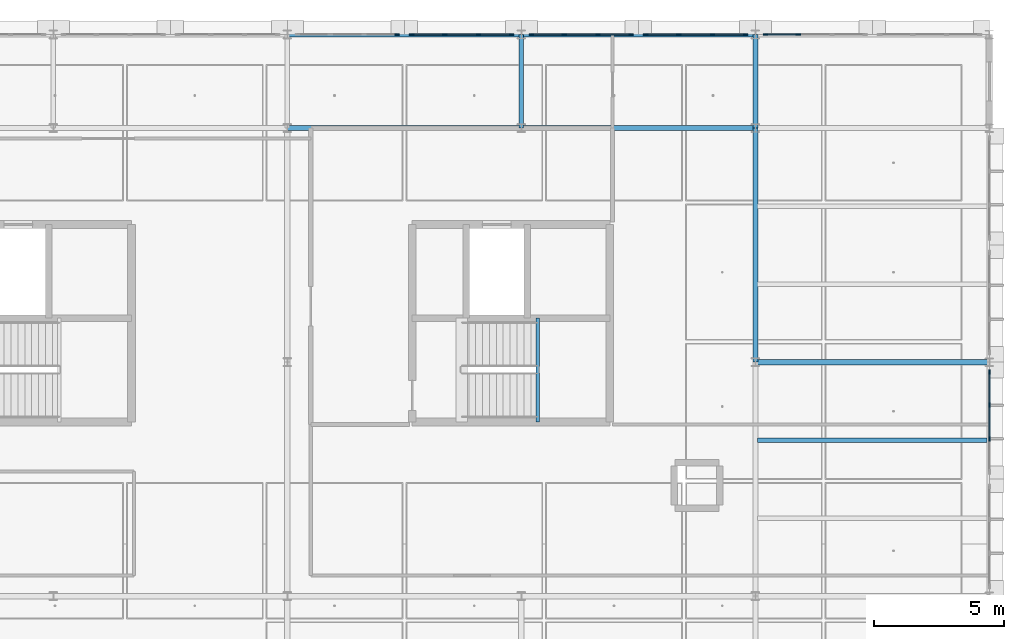
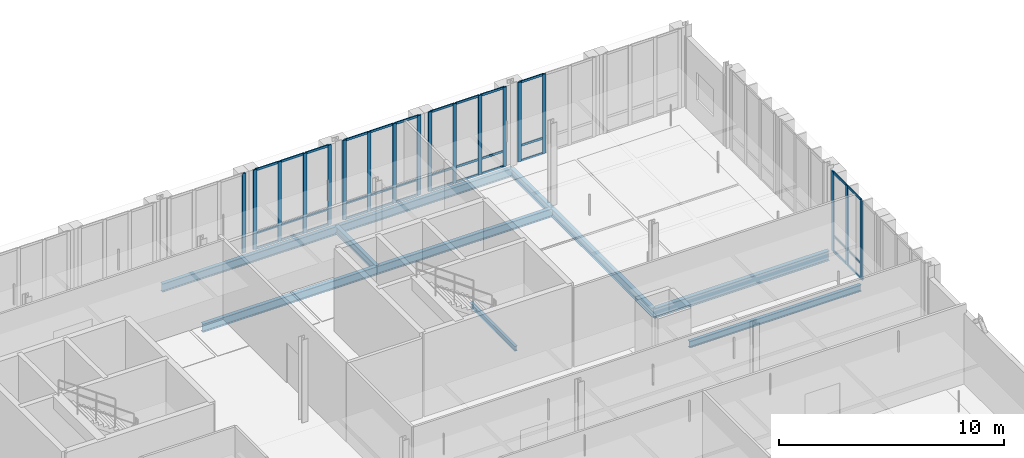
# One storey, part 33 of 89: 54 members, 10 beams, 6 elements without a shape of their own.
"""IFC4 building model written with IfcOpenShell, lengths in metres."""

from ifc_helpers import new_model, si_unit, direction, frame, origin, origin_2d, place, context, subcontext, project, spatial, rectangle, i_section, extrude, material, material_profile, profile_set, type_object, element, aggregate, save


model = new_model("IFC4")

# Units and contexts
model_context = context("Model", 3, precision=1e-05, world=origin(), true_north=direction((0.0, 1.0)))
body_context = subcontext(model_context, "Body", "Model", "MODEL_VIEW")
ifc_project = project(units=[si_unit("LENGTHUNIT", "METRE"), si_unit("AREAUNIT", "SQUARE_METRE"), si_unit("VOLUMEUNIT", "CUBIC_METRE"), si_unit("PLANEANGLEUNIT", "RADIAN"), si_unit("MASSUNIT", "GRAM", prefix="KILO"), si_unit("THERMODYNAMICTEMPERATUREUNIT", "KELVIN"), si_unit("POWERUNIT", "WATT")], contexts=[model_context])

# Site, building, storey
site_placement = place(None, origin())
site = spatial("IfcSite", under=ifc_project, at=site_placement, CompositionType="ELEMENT")
building_placement = place(site_placement, origin())
building = spatial("IfcBuilding", under=site, at=building_placement, Name="Tallowbark Science Centre", CompositionType="ELEMENT")
storey_placement = place(building_placement, frame((0.0, 0.0, 14.39990234375)))
storey = spatial("IfcBuildingStorey", under=building, at=storey_placement, Name="L03", CompositionType="ELEMENT", Elevation=14.39990234375)

# Beams
ifc_material_1 = material(Name="Structural Steel Grade 300PLUS (300 MPa)", Category="steel")
ifc_material_profile_1 = material_profile(ifc_material_1, i_section(OverallWidth=0.177734375, OverallDepth=0.406494140625, WebThickness=0.0078125, FlangeThickness=0.0126953125, FilletRadius=0.011474609375, at=origin_2d()), Name="410UB59.7")
ifc_profile_set_1 = profile_set([ifc_material_profile_1], Name="Structural Steel Grade 300PLUS (300 MPa)")
beam_type_1 = type_object("IfcBeamType", Name="BM-UB410", PredefinedType="BEAM", material=ifc_profile_set_1)
beam_1_placement = place(storey_placement, frame((139.5, 108.0, -0.383056640625), z_axis=(0.0, 1.0, 0.0), x_axis=(-1.0, 0.0, 0.0)))
element("IfcBeam", 1, at=beam_1_placement, inside=storey, type_object=beam_type_1, Name="Primary Girder GRDY-L03-1395-1080-1116", PredefinedType="BEAM", context=body_context, shape_type="SweptSolid", body=[
    extrude(i_section(OverallWidth=0.177734375, OverallDepth=0.406494140625, WebThickness=0.0078125, FlangeThickness=0.0126953125, FilletRadius=0.011474609375, at=origin_2d()), origin(), (0.0, 0.0, 1.0), 3.60009765625),
])
ifc_material_profile_2 = material_profile(ifc_material_1, i_section(OverallWidth=0.208984375, OverallDepth=0.532958984375, WebThickness=0.01025390625, FlangeThickness=0.015625, FilletRadius=0.013916015625, at=origin_2d()), Name="530UB92.4")
ifc_profile_set_2 = profile_set([ifc_material_profile_2], Name="Structural Steel Grade 300PLUS (300 MPa)")
beam_type_2 = type_object("IfcBeamType", Name="BM-UB530A", PredefinedType="BEAM", material=ifc_profile_set_2)
beam_2_placement = place(storey_placement, frame((148.5, 99.0, -0.4462890625), z_axis=(1.0, 0.0, 0.0), x_axis=(0.0, 1.0, 0.0)))
element("IfcBeam", 2, at=beam_2_placement, inside=storey, type_object=beam_type_2, Name="Primary Girder GRDX-L03-1485-1575-990", PredefinedType="BEAM", context=body_context, shape_type="SweptSolid", body=[
    extrude(i_section(OverallWidth=0.208984375, OverallDepth=0.532958984375, WebThickness=0.01025390625, FlangeThickness=0.015625, FilletRadius=0.013916015625, at=origin_2d()), origin(), (0.0, 0.0, 1.0), 9.0),
])

# Curtain wall, members
ifc_material_2 = material(Name="Unitised Thermally Broken Aluminium and Low-E Double Glazing", Category="aluminium")
curtain_wall_type = type_object("IfcCurtainWallType", Name="CW-SYS-FACADE", PredefinedType="NOTDEFINED", material=ifc_material_2)
curtain_wall_1_placement = place(storey_placement, origin())
curtain_wall_1 = element("IfcCurtainWall", 3, at=curtain_wall_1_placement, inside=storey, type_object=curtain_wall_type, Name="Unitised Curtain Wall OBS-N-130A CW-L03-174", PredefinedType="NOTDEFINED")
ifc_material_3 = material(Name="Anodised Architectural Aluminium Alloy 6063-T6", Category="aluminium")
ifc_material_profile_3 = material_profile(ifc_material_3, rectangle(XDim=0.06494140625, YDim=0.179931640625, at=origin_2d()), Name="ALU65x180")
ifc_profile_set_3 = profile_set([ifc_material_profile_3], Name="Anodised Architectural Aluminium Alloy 6063-T6")
member_type_1 = type_object("IfcMemberType", Name="CWM-MUL-220", PredefinedType="MULLION", material=ifc_profile_set_3)
member_1_placement = place(storey_placement, frame((139.117431640625, 111.60009765625, 0.0), z_axis=(0.0, 0.0, 1.0), x_axis=(0.0, -1.0, 0.0)))
member_1 = element("IfcMember", 4, at=member_1_placement, type_object=member_type_1, Name="CW-01 mullion 1", PredefinedType="MULLION", context=body_context, shape_type="SweptSolid", body=[
    extrude(rectangle(XDim=0.06494140625, YDim=0.179931640625, at=origin_2d()), origin(), (0.0, 0.0, 1.0), 4.320068359375),
])
member_2_placement = place(storey_placement, frame((137.85009765625, 111.60009765625, 0.0), z_axis=(0.0, 0.0, 1.0), x_axis=(0.0, -1.0, 0.0)))
member_2 = element("IfcMember", 5, at=member_2_placement, type_object=member_type_1, Name="CW-01 mullion 2", PredefinedType="MULLION", context=body_context, shape_type="SweptSolid", body=[
    extrude(rectangle(XDim=0.06494140625, YDim=0.179931640625, at=origin_2d()), origin(), (0.0, 0.0, 1.0), 4.320068359375),
])
member_3_placement = place(storey_placement, frame((136.550048828125, 111.60009765625, 0.0), z_axis=(0.0, 0.0, 1.0), x_axis=(0.0, -1.0, 0.0)))
member_3 = element("IfcMember", 6, at=member_3_placement, type_object=member_type_1, Name="CW-01 mullion 3", PredefinedType="MULLION", context=body_context, shape_type="SweptSolid", body=[
    extrude(rectangle(XDim=0.06494140625, YDim=0.179931640625, at=origin_2d()), origin(), (0.0, 0.0, 1.0), 4.320068359375),
])
member_4_placement = place(storey_placement, frame((135.282470703125, 111.60009765625, 0.0), z_axis=(0.0, 0.0, 1.0), x_axis=(0.0, -1.0, 0.0)))
member_4 = element("IfcMember", 7, at=member_4_placement, type_object=member_type_1, Name="CW-01 mullion 4", PredefinedType="MULLION", context=body_context, shape_type="SweptSolid", body=[
    extrude(rectangle(XDim=0.06494140625, YDim=0.179931640625, at=origin_2d()), origin(), (0.0, 0.0, 1.0), 4.320068359375),
])

# Curtain wall, member
curtain_wall_2_placement = place(storey_placement, origin())
curtain_wall_2 = element("IfcCurtainWall", 8, at=curtain_wall_2_placement, inside=storey, type_object=curtain_wall_type, Name="Unitised Curtain Wall OBS-N-130B CW-L03-175", PredefinedType="NOTDEFINED")
member_5_placement = place(storey_placement, frame((134.717529296875, 111.60009765625, 0.0), z_axis=(0.0, 0.0, 1.0), x_axis=(0.0, -1.0, 0.0)))
member_5 = element("IfcMember", 9, at=member_5_placement, type_object=member_type_1, Name="CW-01 mullion 1", PredefinedType="MULLION", context=body_context, shape_type="SweptSolid", body=[
    extrude(rectangle(XDim=0.06494140625, YDim=0.179931640625, at=origin_2d()), origin(), (0.0, 0.0, 1.0), 4.320068359375),
])
aggregate(curtain_wall_2, [member_5])

# Curtain wall, members
curtain_wall_3_placement = place(storey_placement, origin())
curtain_wall_3 = element("IfcCurtainWall", 10, at=curtain_wall_3_placement, inside=storey, type_object=curtain_wall_type, Name="Unitised Curtain Wall OBS-N-139A CW-L03-178", PredefinedType="NOTDEFINED")
member_6_placement = place(storey_placement, frame((148.117431640625, 111.60009765625, 0.0), z_axis=(0.0, 0.0, 1.0), x_axis=(0.0, -1.0, 0.0)))
member_6 = element("IfcMember", 11, at=member_6_placement, type_object=member_type_1, Name="CW-01 mullion 1", PredefinedType="MULLION", context=body_context, shape_type="SweptSolid", body=[
    extrude(rectangle(XDim=0.06494140625, YDim=0.179931640625, at=origin_2d()), origin(), (0.0, 0.0, 1.0), 4.320068359375),
])
member_7_placement = place(storey_placement, frame((146.85009765625, 111.60009765625, 0.0), z_axis=(0.0, 0.0, 1.0), x_axis=(0.0, -1.0, 0.0)))
member_7 = element("IfcMember", 12, at=member_7_placement, type_object=member_type_1, Name="CW-01 mullion 2", PredefinedType="MULLION", context=body_context, shape_type="SweptSolid", body=[
    extrude(rectangle(XDim=0.06494140625, YDim=0.179931640625, at=origin_2d()), origin(), (0.0, 0.0, 1.0), 4.320068359375),
])
member_8_placement = place(storey_placement, frame((145.550048828125, 111.60009765625, 0.0), z_axis=(0.0, 0.0, 1.0), x_axis=(0.0, -1.0, 0.0)))
member_8 = element("IfcMember", 13, at=member_8_placement, type_object=member_type_1, Name="CW-01 mullion 3", PredefinedType="MULLION", context=body_context, shape_type="SweptSolid", body=[
    extrude(rectangle(XDim=0.06494140625, YDim=0.179931640625, at=origin_2d()), origin(), (0.0, 0.0, 1.0), 4.320068359375),
])
member_9_placement = place(storey_placement, frame((144.282470703125, 111.60009765625, 0.0), z_axis=(0.0, 0.0, 1.0), x_axis=(0.0, -1.0, 0.0)))
member_9 = element("IfcMember", 14, at=member_9_placement, type_object=member_type_1, Name="CW-01 mullion 4", PredefinedType="MULLION", context=body_context, shape_type="SweptSolid", body=[
    extrude(rectangle(XDim=0.06494140625, YDim=0.179931640625, at=origin_2d()), origin(), (0.0, 0.0, 1.0), 4.320068359375),
])

curtain_wall_4_placement = place(storey_placement, origin())
curtain_wall_4 = element("IfcCurtainWall", 15, at=curtain_wall_4_placement, inside=storey, type_object=curtain_wall_type, Name="Unitised Curtain Wall OBS-N-139B CW-L03-179", PredefinedType="NOTDEFINED")
member_10_placement = place(storey_placement, frame((143.717529296875, 111.60009765625, 0.0), z_axis=(0.0, 0.0, 1.0), x_axis=(0.0, -1.0, 0.0)))
member_10 = element("IfcMember", 16, at=member_10_placement, type_object=member_type_1, Name="CW-01 mullion 1", PredefinedType="MULLION", context=body_context, shape_type="SweptSolid", body=[
    extrude(rectangle(XDim=0.06494140625, YDim=0.179931640625, at=origin_2d()), origin(), (0.0, 0.0, 1.0), 4.320068359375),
])
member_11_placement = place(storey_placement, frame((142.449951171875, 111.60009765625, 0.0), z_axis=(0.0, 0.0, 1.0), x_axis=(0.0, -1.0, 0.0)))
member_11 = element("IfcMember", 17, at=member_11_placement, type_object=member_type_1, Name="CW-01 mullion 2", PredefinedType="MULLION", context=body_context, shape_type="SweptSolid", body=[
    extrude(rectangle(XDim=0.06494140625, YDim=0.179931640625, at=origin_2d()), origin(), (0.0, 0.0, 1.0), 4.320068359375),
])
member_12_placement = place(storey_placement, frame((141.14990234375, 111.60009765625, 0.0), z_axis=(0.0, 0.0, 1.0), x_axis=(0.0, -1.0, 0.0)))
member_12 = element("IfcMember", 18, at=member_12_placement, type_object=member_type_1, Name="CW-01 mullion 3", PredefinedType="MULLION", context=body_context, shape_type="SweptSolid", body=[
    extrude(rectangle(XDim=0.06494140625, YDim=0.179931640625, at=origin_2d()), origin(), (0.0, 0.0, 1.0), 4.320068359375),
])
member_13_placement = place(storey_placement, frame((139.882568359375, 111.60009765625, 0.0), z_axis=(0.0, 0.0, 1.0), x_axis=(0.0, -1.0, 0.0)))
member_13 = element("IfcMember", 19, at=member_13_placement, type_object=member_type_1, Name="CW-01 mullion 4", PredefinedType="MULLION", context=body_context, shape_type="SweptSolid", body=[
    extrude(rectangle(XDim=0.06494140625, YDim=0.179931640625, at=origin_2d()), origin(), (0.0, 0.0, 1.0), 4.320068359375),
])

curtain_wall_5_placement = place(storey_placement, origin())
curtain_wall_5 = element("IfcCurtainWall", 20, at=curtain_wall_5_placement, inside=storey, type_object=curtain_wall_type, Name="Unitised Curtain Wall OBS-N-148B CW-L03-183", PredefinedType="NOTDEFINED")
member_14_placement = place(storey_placement, frame((150.14990234375, 111.60009765625, 0.0), z_axis=(0.0, 0.0, 1.0), x_axis=(0.0, -1.0, 0.0)))
member_14 = element("IfcMember", 21, at=member_14_placement, type_object=member_type_1, Name="CW-01 mullion 3", PredefinedType="MULLION", context=body_context, shape_type="SweptSolid", body=[
    extrude(rectangle(XDim=0.06494140625, YDim=0.179931640625, at=origin_2d()), origin(), (0.0, 0.0, 1.0), 4.320068359375),
])
member_15_placement = place(storey_placement, frame((148.882568359375, 111.60009765625, 0.0), z_axis=(0.0, 0.0, 1.0), x_axis=(0.0, -1.0, 0.0)))
member_15 = element("IfcMember", 22, at=member_15_placement, type_object=member_type_1, Name="CW-01 mullion 4", PredefinedType="MULLION", context=body_context, shape_type="SweptSolid", body=[
    extrude(rectangle(XDim=0.06494140625, YDim=0.179931640625, at=origin_2d()), origin(), (0.0, 0.0, 1.0), 4.320068359375),
])

curtain_wall_6_placement = place(storey_placement, origin())
curtain_wall_6 = element("IfcCurtainWall", 23, at=curtain_wall_6_placement, inside=storey, type_object=curtain_wall_type, Name="Unitised Curtain Wall OBS-E-90B CW-L03-187", PredefinedType="NOTDEFINED")
member_16_placement = place(storey_placement, frame((157.5, 96.050048828125, 0.0), z_axis=(0.0, 0.0, 1.0), x_axis=(-1.0, 0.0, 0.0)))
member_16 = element("IfcMember", 24, at=member_16_placement, type_object=member_type_1, Name="CW-01 mullion 2", PredefinedType="MULLION", context=body_context, shape_type="SweptSolid", body=[
    extrude(rectangle(XDim=0.06494140625, YDim=0.179931640625, at=origin_2d()), origin(), (0.0, 0.0, 1.0), 4.320068359375),
])
member_17_placement = place(storey_placement, frame((157.5, 97.35009765625, 0.0), z_axis=(0.0, 0.0, 1.0), x_axis=(-1.0, 0.0, 0.0)))
member_17 = element("IfcMember", 25, at=member_17_placement, type_object=member_type_1, Name="CW-01 mullion 3", PredefinedType="MULLION", context=body_context, shape_type="SweptSolid", body=[
    extrude(rectangle(XDim=0.06494140625, YDim=0.179931640625, at=origin_2d()), origin(), (0.0, 0.0, 1.0), 4.320068359375),
])
member_18_placement = place(storey_placement, frame((157.5, 98.617431640625, 0.0), z_axis=(0.0, 0.0, 1.0), x_axis=(-1.0, 0.0, 0.0)))
member_18 = element("IfcMember", 26, at=member_18_placement, type_object=member_type_1, Name="CW-01 mullion 4", PredefinedType="MULLION", context=body_context, shape_type="SweptSolid", body=[
    extrude(rectangle(XDim=0.06494140625, YDim=0.179931640625, at=origin_2d()), origin(), (0.0, 0.0, 1.0), 4.320068359375),
])

# Member
ifc_material_profile_4 = material_profile(ifc_material_3, rectangle(XDim=0.054931640625, YDim=0.1201171875, at=origin_2d()), Name="ALU55x120")
ifc_profile_set_4 = profile_set([ifc_material_profile_4], Name="Anodised Architectural Aluminium Alloy 6063-T6")
member_type_2 = type_object("IfcMemberType", Name="CWM-TRN-150", PredefinedType="USERDEFINED", material=ifc_profile_set_4)
member_19_placement = place(storey_placement, frame((139.0849609375, 111.60009765625, 0.027587890625), z_axis=(-1.0, 0.0, 0.0), x_axis=(0.0, -1.0, 0.0)))
member_19 = element("IfcMember", 27, at=member_19_placement, type_object=member_type_2, Name="CW-01 transom 1.1", ObjectType="TRANSOM", PredefinedType="USERDEFINED", context=body_context, shape_type="SweptSolid", body=[
    extrude(rectangle(XDim=0.054931640625, YDim=0.1201171875, at=origin_2d()), origin(), (0.0, 0.0, 1.0), 1.202392578125),
])

member_20_placement = place(storey_placement, frame((139.0849609375, 111.60009765625, 0.85009765625), z_axis=(-1.0, 0.0, 0.0), x_axis=(0.0, -1.0, 0.0)))
member_20 = element("IfcMember", 28, at=member_20_placement, type_object=member_type_2, Name="CW-01 transom 1.2", ObjectType="TRANSOM", PredefinedType="USERDEFINED", context=body_context, shape_type="SweptSolid", body=[
    extrude(rectangle(XDim=0.054931640625, YDim=0.1201171875, at=origin_2d()), origin(), (0.0, 0.0, 1.0), 1.202392578125),
])

member_21_placement = place(storey_placement, frame((139.0849609375, 111.60009765625, 4.29248046875), z_axis=(-1.0, 0.0, 0.0), x_axis=(0.0, -1.0, 0.0)))
member_21 = element("IfcMember", 29, at=member_21_placement, type_object=member_type_2, Name="CW-01 transom 1.3", ObjectType="TRANSOM", PredefinedType="USERDEFINED", context=body_context, shape_type="SweptSolid", body=[
    extrude(rectangle(XDim=0.054931640625, YDim=0.1201171875, at=origin_2d()), origin(), (0.0, 0.0, 1.0), 1.202392578125),
])

member_22_placement = place(storey_placement, frame((137.8173828125, 111.60009765625, 0.027587890625), z_axis=(-1.0, 0.0, 0.0), x_axis=(0.0, -1.0, 0.0)))
member_22 = element("IfcMember", 30, at=member_22_placement, type_object=member_type_2, Name="CW-01 transom 2.1", ObjectType="TRANSOM", PredefinedType="USERDEFINED", context=body_context, shape_type="SweptSolid", body=[
    extrude(rectangle(XDim=0.054931640625, YDim=0.1201171875, at=origin_2d()), origin(), (0.0, 0.0, 1.0), 1.23486328125),
])

member_23_placement = place(storey_placement, frame((137.8173828125, 111.60009765625, 0.85009765625), z_axis=(-1.0, 0.0, 0.0), x_axis=(0.0, -1.0, 0.0)))
member_23 = element("IfcMember", 31, at=member_23_placement, type_object=member_type_2, Name="CW-01 transom 2.2", ObjectType="TRANSOM", PredefinedType="USERDEFINED", context=body_context, shape_type="SweptSolid", body=[
    extrude(rectangle(XDim=0.054931640625, YDim=0.1201171875, at=origin_2d()), origin(), (0.0, 0.0, 1.0), 1.23486328125),
])

member_24_placement = place(storey_placement, frame((137.8173828125, 111.60009765625, 4.29248046875), z_axis=(-1.0, 0.0, 0.0), x_axis=(0.0, -1.0, 0.0)))
member_24 = element("IfcMember", 32, at=member_24_placement, type_object=member_type_2, Name="CW-01 transom 2.3", ObjectType="TRANSOM", PredefinedType="USERDEFINED", context=body_context, shape_type="SweptSolid", body=[
    extrude(rectangle(XDim=0.054931640625, YDim=0.1201171875, at=origin_2d()), origin(), (0.0, 0.0, 1.0), 1.23486328125),
])

member_25_placement = place(storey_placement, frame((136.517578125, 111.60009765625, 0.027587890625), z_axis=(-1.0, 0.0, 0.0), x_axis=(0.0, -1.0, 0.0)))
member_25 = element("IfcMember", 33, at=member_25_placement, type_object=member_type_2, Name="CW-01 transom 3.1", ObjectType="TRANSOM", PredefinedType="USERDEFINED", context=body_context, shape_type="SweptSolid", body=[
    extrude(rectangle(XDim=0.054931640625, YDim=0.1201171875, at=origin_2d()), origin(), (0.0, 0.0, 1.0), 1.20263671875),
])

member_26_placement = place(storey_placement, frame((136.517578125, 111.60009765625, 0.85009765625), z_axis=(-1.0, 0.0, 0.0), x_axis=(0.0, -1.0, 0.0)))
member_26 = element("IfcMember", 34, at=member_26_placement, type_object=member_type_2, Name="CW-01 transom 3.2", ObjectType="TRANSOM", PredefinedType="USERDEFINED", context=body_context, shape_type="SweptSolid", body=[
    extrude(rectangle(XDim=0.054931640625, YDim=0.1201171875, at=origin_2d()), origin(), (0.0, 0.0, 1.0), 1.20263671875),
])

member_27_placement = place(storey_placement, frame((136.517578125, 111.60009765625, 4.29248046875), z_axis=(-1.0, 0.0, 0.0), x_axis=(0.0, -1.0, 0.0)))
member_27 = element("IfcMember", 35, at=member_27_placement, type_object=member_type_2, Name="CW-01 transom 3.3", ObjectType="TRANSOM", PredefinedType="USERDEFINED", context=body_context, shape_type="SweptSolid", body=[
    extrude(rectangle(XDim=0.054931640625, YDim=0.1201171875, at=origin_2d()), origin(), (0.0, 0.0, 1.0), 1.20263671875),
])

aggregate(curtain_wall_1, [member_1, member_2, member_3, member_4, member_19, member_20, member_21, member_22, member_23, member_24, member_25, member_26, member_27])

member_28_placement = place(storey_placement, frame((148.0849609375, 111.60009765625, 0.027587890625), z_axis=(-1.0, 0.0, 0.0), x_axis=(0.0, -1.0, 0.0)))
member_28 = element("IfcMember", 36, at=member_28_placement, type_object=member_type_2, Name="CW-01 transom 1.1", ObjectType="TRANSOM", PredefinedType="USERDEFINED", context=body_context, shape_type="SweptSolid", body=[
    extrude(rectangle(XDim=0.054931640625, YDim=0.1201171875, at=origin_2d()), origin(), (0.0, 0.0, 1.0), 1.202392578125),
])

member_29_placement = place(storey_placement, frame((148.0849609375, 111.60009765625, 0.85009765625), z_axis=(-1.0, 0.0, 0.0), x_axis=(0.0, -1.0, 0.0)))
member_29 = element("IfcMember", 37, at=member_29_placement, type_object=member_type_2, Name="CW-01 transom 1.2", ObjectType="TRANSOM", PredefinedType="USERDEFINED", context=body_context, shape_type="SweptSolid", body=[
    extrude(rectangle(XDim=0.054931640625, YDim=0.1201171875, at=origin_2d()), origin(), (0.0, 0.0, 1.0), 1.202392578125),
])

member_30_placement = place(storey_placement, frame((148.0849609375, 111.60009765625, 4.29248046875), z_axis=(-1.0, 0.0, 0.0), x_axis=(0.0, -1.0, 0.0)))
member_30 = element("IfcMember", 38, at=member_30_placement, type_object=member_type_2, Name="CW-01 transom 1.3", ObjectType="TRANSOM", PredefinedType="USERDEFINED", context=body_context, shape_type="SweptSolid", body=[
    extrude(rectangle(XDim=0.054931640625, YDim=0.1201171875, at=origin_2d()), origin(), (0.0, 0.0, 1.0), 1.202392578125),
])

member_31_placement = place(storey_placement, frame((146.8173828125, 111.60009765625, 0.027587890625), z_axis=(-1.0, 0.0, 0.0), x_axis=(0.0, -1.0, 0.0)))
member_31 = element("IfcMember", 39, at=member_31_placement, type_object=member_type_2, Name="CW-01 transom 2.1", ObjectType="TRANSOM", PredefinedType="USERDEFINED", context=body_context, shape_type="SweptSolid", body=[
    extrude(rectangle(XDim=0.054931640625, YDim=0.1201171875, at=origin_2d()), origin(), (0.0, 0.0, 1.0), 1.23486328125),
])

member_32_placement = place(storey_placement, frame((146.8173828125, 111.60009765625, 0.85009765625), z_axis=(-1.0, 0.0, 0.0), x_axis=(0.0, -1.0, 0.0)))
member_32 = element("IfcMember", 40, at=member_32_placement, type_object=member_type_2, Name="CW-01 transom 2.2", ObjectType="TRANSOM", PredefinedType="USERDEFINED", context=body_context, shape_type="SweptSolid", body=[
    extrude(rectangle(XDim=0.054931640625, YDim=0.1201171875, at=origin_2d()), origin(), (0.0, 0.0, 1.0), 1.23486328125),
])

member_33_placement = place(storey_placement, frame((146.8173828125, 111.60009765625, 4.29248046875), z_axis=(-1.0, 0.0, 0.0), x_axis=(0.0, -1.0, 0.0)))
member_33 = element("IfcMember", 41, at=member_33_placement, type_object=member_type_2, Name="CW-01 transom 2.3", ObjectType="TRANSOM", PredefinedType="USERDEFINED", context=body_context, shape_type="SweptSolid", body=[
    extrude(rectangle(XDim=0.054931640625, YDim=0.1201171875, at=origin_2d()), origin(), (0.0, 0.0, 1.0), 1.23486328125),
])

member_34_placement = place(storey_placement, frame((145.517578125, 111.60009765625, 0.027587890625), z_axis=(-1.0, 0.0, 0.0), x_axis=(0.0, -1.0, 0.0)))
member_34 = element("IfcMember", 42, at=member_34_placement, type_object=member_type_2, Name="CW-01 transom 3.1", ObjectType="TRANSOM", PredefinedType="USERDEFINED", context=body_context, shape_type="SweptSolid", body=[
    extrude(rectangle(XDim=0.054931640625, YDim=0.1201171875, at=origin_2d()), origin(), (0.0, 0.0, 1.0), 1.20263671875),
])

member_35_placement = place(storey_placement, frame((145.517578125, 111.60009765625, 0.85009765625), z_axis=(-1.0, 0.0, 0.0), x_axis=(0.0, -1.0, 0.0)))
member_35 = element("IfcMember", 43, at=member_35_placement, type_object=member_type_2, Name="CW-01 transom 3.2", ObjectType="TRANSOM", PredefinedType="USERDEFINED", context=body_context, shape_type="SweptSolid", body=[
    extrude(rectangle(XDim=0.054931640625, YDim=0.1201171875, at=origin_2d()), origin(), (0.0, 0.0, 1.0), 1.20263671875),
])

member_36_placement = place(storey_placement, frame((145.517578125, 111.60009765625, 4.29248046875), z_axis=(-1.0, 0.0, 0.0), x_axis=(0.0, -1.0, 0.0)))
member_36 = element("IfcMember", 44, at=member_36_placement, type_object=member_type_2, Name="CW-01 transom 3.3", ObjectType="TRANSOM", PredefinedType="USERDEFINED", context=body_context, shape_type="SweptSolid", body=[
    extrude(rectangle(XDim=0.054931640625, YDim=0.1201171875, at=origin_2d()), origin(), (0.0, 0.0, 1.0), 1.20263671875),
])

aggregate(curtain_wall_3, [member_6, member_7, member_8, member_9, member_28, member_29, member_30, member_31, member_32, member_33, member_34, member_35, member_36])

member_37_placement = place(storey_placement, frame((143.68505859375, 111.60009765625, 0.027587890625), z_axis=(-1.0, 0.0, 0.0), x_axis=(0.0, -1.0, 0.0)))
member_37 = element("IfcMember", 45, at=member_37_placement, type_object=member_type_2, Name="CW-01 transom 1.1", ObjectType="TRANSOM", PredefinedType="USERDEFINED", context=body_context, shape_type="SweptSolid", body=[
    extrude(rectangle(XDim=0.054931640625, YDim=0.1201171875, at=origin_2d()), origin(), (0.0, 0.0, 1.0), 1.20263671875),
])

member_38_placement = place(storey_placement, frame((143.68505859375, 111.60009765625, 0.85009765625), z_axis=(-1.0, 0.0, 0.0), x_axis=(0.0, -1.0, 0.0)))
member_38 = element("IfcMember", 46, at=member_38_placement, type_object=member_type_2, Name="CW-01 transom 1.2", ObjectType="TRANSOM", PredefinedType="USERDEFINED", context=body_context, shape_type="SweptSolid", body=[
    extrude(rectangle(XDim=0.054931640625, YDim=0.1201171875, at=origin_2d()), origin(), (0.0, 0.0, 1.0), 1.20263671875),
])

member_39_placement = place(storey_placement, frame((143.68505859375, 111.60009765625, 4.29248046875), z_axis=(-1.0, 0.0, 0.0), x_axis=(0.0, -1.0, 0.0)))
member_39 = element("IfcMember", 47, at=member_39_placement, type_object=member_type_2, Name="CW-01 transom 1.3", ObjectType="TRANSOM", PredefinedType="USERDEFINED", context=body_context, shape_type="SweptSolid", body=[
    extrude(rectangle(XDim=0.054931640625, YDim=0.1201171875, at=origin_2d()), origin(), (0.0, 0.0, 1.0), 1.20263671875),
])

member_40_placement = place(storey_placement, frame((142.41748046875, 111.60009765625, 0.027587890625), z_axis=(-1.0, 0.0, 0.0), x_axis=(0.0, -1.0, 0.0)))
member_40 = element("IfcMember", 48, at=member_40_placement, type_object=member_type_2, Name="CW-01 transom 2.1", ObjectType="TRANSOM", PredefinedType="USERDEFINED", context=body_context, shape_type="SweptSolid", body=[
    extrude(rectangle(XDim=0.054931640625, YDim=0.1201171875, at=origin_2d()), origin(), (0.0, 0.0, 1.0), 1.23486328125),
])

member_41_placement = place(storey_placement, frame((142.41748046875, 111.60009765625, 0.85009765625), z_axis=(-1.0, 0.0, 0.0), x_axis=(0.0, -1.0, 0.0)))
member_41 = element("IfcMember", 49, at=member_41_placement, type_object=member_type_2, Name="CW-01 transom 2.2", ObjectType="TRANSOM", PredefinedType="USERDEFINED", context=body_context, shape_type="SweptSolid", body=[
    extrude(rectangle(XDim=0.054931640625, YDim=0.1201171875, at=origin_2d()), origin(), (0.0, 0.0, 1.0), 1.23486328125),
])

member_42_placement = place(storey_placement, frame((142.41748046875, 111.60009765625, 4.29248046875), z_axis=(-1.0, 0.0, 0.0), x_axis=(0.0, -1.0, 0.0)))
member_42 = element("IfcMember", 50, at=member_42_placement, type_object=member_type_2, Name="CW-01 transom 2.3", ObjectType="TRANSOM", PredefinedType="USERDEFINED", context=body_context, shape_type="SweptSolid", body=[
    extrude(rectangle(XDim=0.054931640625, YDim=0.1201171875, at=origin_2d()), origin(), (0.0, 0.0, 1.0), 1.23486328125),
])

member_43_placement = place(storey_placement, frame((141.117431640625, 111.60009765625, 0.027587890625), z_axis=(-1.0, 0.0, 0.0), x_axis=(0.0, -1.0, 0.0)))
member_43 = element("IfcMember", 51, at=member_43_placement, type_object=member_type_2, Name="CW-01 transom 3.1", ObjectType="TRANSOM", PredefinedType="USERDEFINED", context=body_context, shape_type="SweptSolid", body=[
    extrude(rectangle(XDim=0.054931640625, YDim=0.1201171875, at=origin_2d()), origin(), (0.0, 0.0, 1.0), 1.202392578125),
])

member_44_placement = place(storey_placement, frame((141.117431640625, 111.60009765625, 0.85009765625), z_axis=(-1.0, 0.0, 0.0), x_axis=(0.0, -1.0, 0.0)))
member_44 = element("IfcMember", 52, at=member_44_placement, type_object=member_type_2, Name="CW-01 transom 3.2", ObjectType="TRANSOM", PredefinedType="USERDEFINED", context=body_context, shape_type="SweptSolid", body=[
    extrude(rectangle(XDim=0.054931640625, YDim=0.1201171875, at=origin_2d()), origin(), (0.0, 0.0, 1.0), 1.202392578125),
])

member_45_placement = place(storey_placement, frame((141.117431640625, 111.60009765625, 4.29248046875), z_axis=(-1.0, 0.0, 0.0), x_axis=(0.0, -1.0, 0.0)))
member_45 = element("IfcMember", 53, at=member_45_placement, type_object=member_type_2, Name="CW-01 transom 3.3", ObjectType="TRANSOM", PredefinedType="USERDEFINED", context=body_context, shape_type="SweptSolid", body=[
    extrude(rectangle(XDim=0.054931640625, YDim=0.1201171875, at=origin_2d()), origin(), (0.0, 0.0, 1.0), 1.202392578125),
])

aggregate(curtain_wall_4, [member_10, member_11, member_12, member_13, member_37, member_38, member_39, member_40, member_41, member_42, member_43, member_44, member_45])

member_46_placement = place(storey_placement, frame((150.117431640625, 111.60009765625, 0.027587890625), z_axis=(-1.0, 0.0, 0.0), x_axis=(0.0, -1.0, 0.0)))
member_46 = element("IfcMember", 54, at=member_46_placement, type_object=member_type_2, Name="CW-01 transom 3.1", ObjectType="TRANSOM", PredefinedType="USERDEFINED", context=body_context, shape_type="SweptSolid", body=[
    extrude(rectangle(XDim=0.054931640625, YDim=0.1201171875, at=origin_2d()), origin(), (0.0, 0.0, 1.0), 1.202392578125),
])

member_47_placement = place(storey_placement, frame((150.117431640625, 111.60009765625, 0.85009765625), z_axis=(-1.0, 0.0, 0.0), x_axis=(0.0, -1.0, 0.0)))
member_47 = element("IfcMember", 55, at=member_47_placement, type_object=member_type_2, Name="CW-01 transom 3.2", ObjectType="TRANSOM", PredefinedType="USERDEFINED", context=body_context, shape_type="SweptSolid", body=[
    extrude(rectangle(XDim=0.054931640625, YDim=0.1201171875, at=origin_2d()), origin(), (0.0, 0.0, 1.0), 1.202392578125),
])

member_48_placement = place(storey_placement, frame((150.117431640625, 111.60009765625, 4.29248046875), z_axis=(-1.0, 0.0, 0.0), x_axis=(0.0, -1.0, 0.0)))
member_48 = element("IfcMember", 56, at=member_48_placement, type_object=member_type_2, Name="CW-01 transom 3.3", ObjectType="TRANSOM", PredefinedType="USERDEFINED", context=body_context, shape_type="SweptSolid", body=[
    extrude(rectangle(XDim=0.054931640625, YDim=0.1201171875, at=origin_2d()), origin(), (0.0, 0.0, 1.0), 1.202392578125),
])

aggregate(curtain_wall_5, [member_14, member_15, member_46, member_47, member_48])

member_49_placement = place(storey_placement, frame((157.5, 96.08251953125, 0.027587890625), z_axis=(0.0, 1.0, 0.0), x_axis=(-1.0, 0.0, 0.0)))
member_49 = element("IfcMember", 57, at=member_49_placement, type_object=member_type_2, Name="CW-01 transom 2.1", ObjectType="TRANSOM", PredefinedType="USERDEFINED", context=body_context, shape_type="SweptSolid", body=[
    extrude(rectangle(XDim=0.054931640625, YDim=0.1201171875, at=origin_2d()), origin(), (0.0, 0.0, 1.0), 1.23486328125),
])

member_50_placement = place(storey_placement, frame((157.5, 96.08251953125, 0.85009765625), z_axis=(0.0, 1.0, 0.0), x_axis=(-1.0, 0.0, 0.0)))
member_50 = element("IfcMember", 58, at=member_50_placement, type_object=member_type_2, Name="CW-01 transom 2.2", ObjectType="TRANSOM", PredefinedType="USERDEFINED", context=body_context, shape_type="SweptSolid", body=[
    extrude(rectangle(XDim=0.054931640625, YDim=0.1201171875, at=origin_2d()), origin(), (0.0, 0.0, 1.0), 1.23486328125),
])

member_51_placement = place(storey_placement, frame((157.5, 96.08251953125, 4.29248046875), z_axis=(0.0, 1.0, 0.0), x_axis=(-1.0, 0.0, 0.0)))
member_51 = element("IfcMember", 59, at=member_51_placement, type_object=member_type_2, Name="CW-01 transom 2.3", ObjectType="TRANSOM", PredefinedType="USERDEFINED", context=body_context, shape_type="SweptSolid", body=[
    extrude(rectangle(XDim=0.054931640625, YDim=0.1201171875, at=origin_2d()), origin(), (0.0, 0.0, 1.0), 1.23486328125),
])

member_52_placement = place(storey_placement, frame((157.5, 97.382568359375, 0.027587890625), z_axis=(0.0, 1.0, 0.0), x_axis=(-1.0, 0.0, 0.0)))
member_52 = element("IfcMember", 60, at=member_52_placement, type_object=member_type_2, Name="CW-01 transom 3.1", ObjectType="TRANSOM", PredefinedType="USERDEFINED", context=body_context, shape_type="SweptSolid", body=[
    extrude(rectangle(XDim=0.054931640625, YDim=0.1201171875, at=origin_2d()), origin(), (0.0, 0.0, 1.0), 1.202392578125),
])

member_53_placement = place(storey_placement, frame((157.5, 97.382568359375, 0.85009765625), z_axis=(0.0, 1.0, 0.0), x_axis=(-1.0, 0.0, 0.0)))
member_53 = element("IfcMember", 61, at=member_53_placement, type_object=member_type_2, Name="CW-01 transom 3.2", ObjectType="TRANSOM", PredefinedType="USERDEFINED", context=body_context, shape_type="SweptSolid", body=[
    extrude(rectangle(XDim=0.054931640625, YDim=0.1201171875, at=origin_2d()), origin(), (0.0, 0.0, 1.0), 1.202392578125),
])

member_54_placement = place(storey_placement, frame((157.5, 97.382568359375, 4.29248046875), z_axis=(0.0, 1.0, 0.0), x_axis=(-1.0, 0.0, 0.0)))
member_54 = element("IfcMember", 62, at=member_54_placement, type_object=member_type_2, Name="CW-01 transom 3.3", ObjectType="TRANSOM", PredefinedType="USERDEFINED", context=body_context, shape_type="SweptSolid", body=[
    extrude(rectangle(XDim=0.054931640625, YDim=0.1201171875, at=origin_2d()), origin(), (0.0, 0.0, 1.0), 1.202392578125),
])

aggregate(curtain_wall_6, [member_16, member_17, member_18, member_49, member_50, member_51, member_52, member_53, member_54])

# Beams
ifc_material_profile_5 = material_profile(ifc_material_1, i_section(OverallWidth=0.146484375, OverallDepth=0.256103515625, WebThickness=0.00634765625, FlangeThickness=0.010986328125, FilletRadius=0.0087890625, at=origin_2d()), Name="250UB37.3")
ifc_profile_set_5 = profile_set([ifc_material_profile_5], Name="Structural Steel Grade 300PLUS (300 MPa)")
beam_type_3 = type_object("IfcBeamType", Name="JST-UB250", PredefinedType="JOIST", material=ifc_profile_set_5)
beam_3_placement = place(storey_placement, frame((140.125, 96.699951171875, 1.922119140625), z_axis=(0.0, 1.0, 0.0), x_axis=(-1.0, 0.0, 0.0)))
element("IfcBeam", 63, at=beam_3_placement, inside=storey, type_object=beam_type_3, Name="Stair ST-04 Half-Landing Trimmer L03", PredefinedType="JOIST", context=body_context, shape_type="SweptSolid", body=[
    extrude(i_section(OverallWidth=0.146484375, OverallDepth=0.256103515625, WebThickness=0.00634765625, FlangeThickness=0.010986328125, FilletRadius=0.0087890625, at=origin_2d()), origin(), (0.0, 0.0, 1.0), 3.9951171875),
])
ifc_material_profile_6 = material_profile(ifc_material_1, i_section(OverallWidth=0.172119140625, OverallDepth=0.358642578125, WebThickness=0.008056640625, FlangeThickness=0.012939453125, FilletRadius=0.011474609375, at=origin_2d()), Name="360UB56.7")
ifc_profile_set_6 = profile_set([ifc_material_profile_6], Name="Structural Steel Grade 300PLUS (300 MPa)")
beam_type_4 = type_object("IfcBeamType", Name="JST-UB360", PredefinedType="JOIST", material=ifc_profile_set_6)
beam_4_placement = place(storey_placement, frame((148.5849609375, 96.0, -0.359130859375), z_axis=(1.0, 0.0, 0.0), x_axis=(0.0, 1.0, 0.0)))
element("IfcBeam", 64, at=beam_4_placement, inside=storey, type_object=beam_type_4, Name="Composite Floor Joist JSTX-L03-1485-960", PredefinedType="JOIST", context=body_context, shape_type="SweptSolid", body=[
    extrude(i_section(OverallWidth=0.172119140625, OverallDepth=0.358642578125, WebThickness=0.008056640625, FlangeThickness=0.012939453125, FilletRadius=0.011474609375, at=origin_2d()), origin(), (0.0, 0.0, 1.0), 8.830078125),
])
ifc_material_profile_7 = material_profile(ifc_material_1, i_section(OverallWidth=0.18994140625, OverallDepth=0.453857421875, WebThickness=0.008544921875, FlangeThickness=0.0126953125, FilletRadius=0.011474609375, at=origin_2d()), Name="460UB67.1")
ifc_profile_set_7 = profile_set([ifc_material_profile_7], Name="Structural Steel Grade 300PLUS (300 MPa)")
beam_type_5 = type_object("IfcBeamType", Name="SPN-UB460", PredefinedType="SPANDREL", material=ifc_profile_set_7)
for number, where, z_axis, x_axis, name in (
    (65, (130.5, 108.0, -0.40673828125), (1.0, 0.0, 0.0), (0.0, 1.0, 0.0), "Primary Girder GRDX-L03-1305-1395-1080"),
    (66, (139.5, 108.0, -0.40673828125), (1.0, 0.0, 0.0), (0.0, 1.0, 0.0), "Primary Girder GRDX-L03-1395-1485-1080"),
    (67, (130.5, 111.60009765625, -0.40673828125), (1.0, 0.0, 0.0), (0.0, 1.0, 0.0), "Primary Girder GRDX-L03-1305-1395-1116"),
    (68, (139.5, 111.60009765625, -0.40673828125), (1.0, 0.0, 0.0), (0.0, 1.0, 0.0), "Primary Girder GRDX-L03-1395-1485-1116"),
    (69, (148.5, 99.0, -0.40673828125), (0.0, 1.0, 0.0), (-1.0, 0.0, 0.0), "Primary Girder GRDY-L03-1485-990-1080"),
):
    element("IfcBeam", number, at=place(storey_placement, frame(where, z_axis=z_axis, x_axis=x_axis)), inside=storey, type_object=beam_type_5, Name=name, PredefinedType="SPANDREL", context=body_context, shape_type="SweptSolid", body=[
        extrude(i_section(OverallWidth=0.18994140625, OverallDepth=0.453857421875, WebThickness=0.008544921875, FlangeThickness=0.0126953125, FilletRadius=0.011474609375, at=origin_2d()), origin(), (0.0, 0.0, 1.0), 9.0),
    ])
beam_5_placement = place(storey_placement, frame((148.5, 108.0, -0.40673828125), z_axis=(0.0, 1.0, 0.0), x_axis=(-1.0, 0.0, 0.0)))
element("IfcBeam", 70, at=beam_5_placement, inside=storey, type_object=beam_type_5, Name="Primary Girder GRDY-L03-1485-1080-1116", PredefinedType="SPANDREL", context=body_context, shape_type="SweptSolid", body=[
    extrude(i_section(OverallWidth=0.18994140625, OverallDepth=0.453857421875, WebThickness=0.008544921875, FlangeThickness=0.0126953125, FilletRadius=0.011474609375, at=origin_2d()), origin(), (0.0, 0.0, 1.0), 3.60009765625),
])

save(model, "model.ifc")
